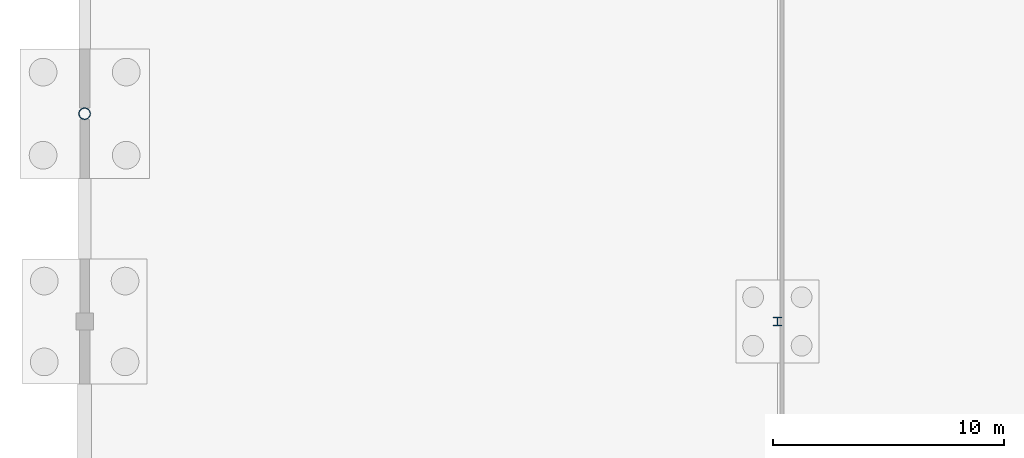
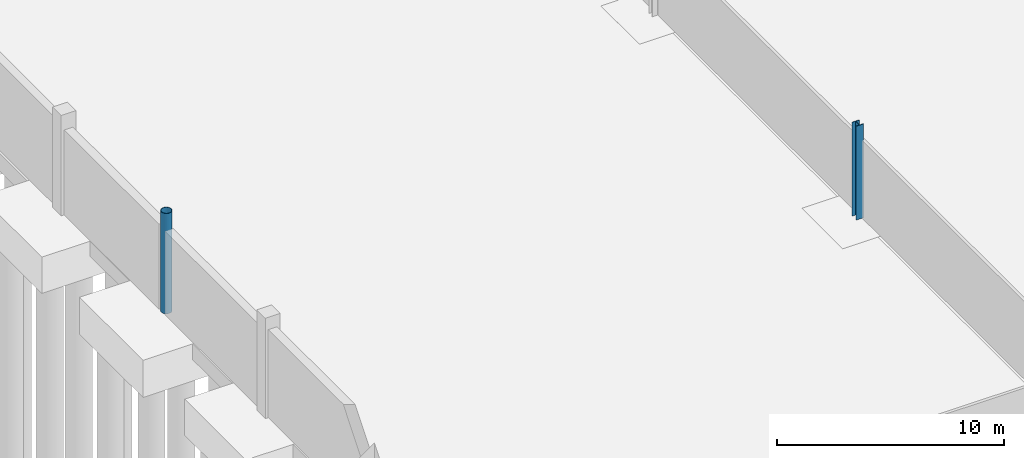
# One storey, part 14 of 58: 2 columns.
"""IFC4 building model written with IfcOpenShell, lengths in metres."""

from ifc_helpers import new_model, si_unit, direction, frame, origin, origin_2d, place, context, subcontext, project, spatial, hollow_circle, i_section, extrude, material, material_profile, profile_set, type_object, element, save


model = new_model("IFC4")

# Units and contexts
model_context = context("Model", 3, precision=1e-05, world=origin(), true_north=direction((0.0, 1.0)))
body_context = subcontext(model_context, "Body", "Model", "MODEL_VIEW")
ifc_project = project(units=[si_unit("LENGTHUNIT", "METRE"), si_unit("AREAUNIT", "SQUARE_METRE"), si_unit("VOLUMEUNIT", "CUBIC_METRE"), si_unit("PLANEANGLEUNIT", "RADIAN"), si_unit("MASSUNIT", "GRAM", prefix="KILO")], contexts=[model_context])

# Site, building, storey
site_placement = place(None, origin())
site = spatial("IfcSite", under=ifc_project, at=site_placement, CompositionType="ELEMENT")
building_placement = place(site_placement, origin())
building = spatial("IfcBuilding", under=site, at=building_placement, Name="Qamarlyn Nura Convention Centre", CompositionType="ELEMENT")
storey_placement = place(building_placement, frame((0.0, 0.0, -5.39990234375)))
storey = spatial("IfcBuildingStorey", under=building, at=storey_placement, Name="B01", CompositionType="ELEMENT", Elevation=-5.39990234375)

# Columns
ifc_material_1 = material(Name="Pearl-white PVDF steel ASTM A500 Grade C", Category="steel")
ifc_material_profile_1 = material_profile(ifc_material_1, hollow_circle(Radius=0.25390625, WallThickness=0.02001953125, at=origin_2d()), Name="CHS508X20")
ifc_profile_set_1 = profile_set([ifc_material_profile_1], Name="Pearl-white PVDF steel ASTM A500 Grade C")
column_type_1 = type_object("IfcColumnType", Name="COL-HALL-1", PredefinedType="COLUMN", material=ifc_profile_set_1)
column_1_placement = place(storey_placement, frame((0.0, 54.0, 0.0), z_axis=(0.0, 0.0, 1.0), x_axis=(1.0, 0.0, 0.0)))
element("IfcColumn", 1, at=column_1_placement, inside=storey, type_object=column_type_1, Name="B01 column 1/G", PredefinedType="COLUMN", context=body_context, shape_type="SweptSolid", body=[
    extrude(hollow_circle(Radius=0.25390625, WallThickness=0.02001953125, at=origin_2d()), origin(), (0.0, 0.0, 1.0), 5.39990234375),
])
ifc_material_2 = material(Name="Steel ASTM A992", Category="steel")
ifc_material_profile_2 = material_profile(ifc_material_2, i_section(OverallWidth=0.3740234375, OverallDepth=0.3720703125, WebThickness=0.016357421875, FlangeThickness=0.026123046875, FilletRadius=0.01611328125, at=origin_2d()), Name="W360X196")
ifc_profile_set_2 = profile_set([ifc_material_profile_2], Name="Steel ASTM A992")
column_type_2 = type_object("IfcColumnType", Name="COL-WING-2", PredefinedType="COLUMN", material=ifc_profile_set_2)
column_2_placement = place(storey_placement, frame((30.0, 45.0, 0.0), z_axis=(0.0, 0.0, 1.0), x_axis=(1.0, 0.0, 0.0)))
element("IfcColumn", 2, at=column_2_placement, inside=storey, type_object=column_type_2, Name="B01 column 3/F", PredefinedType="COLUMN", context=body_context, shape_type="SweptSolid", body=[
    extrude(i_section(OverallWidth=0.3740234375, OverallDepth=0.3720703125, WebThickness=0.016357421875, FlangeThickness=0.026123046875, FilletRadius=0.01611328125, at=origin_2d()), origin(), (0.0, 0.0, 1.0), 5.0498046875),
])

save(model, "model.ifc")
